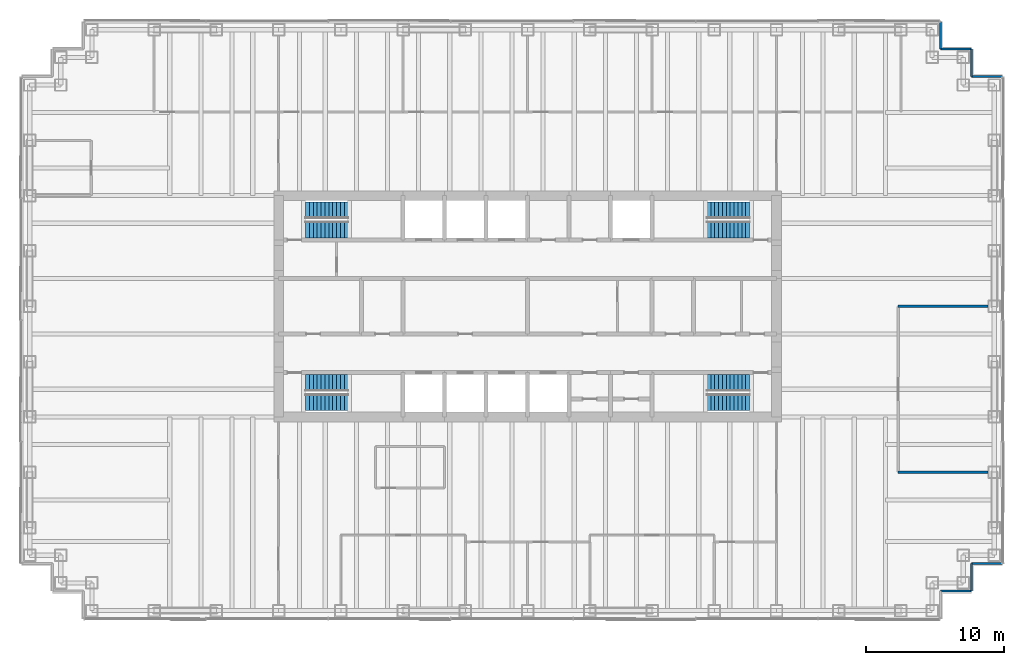
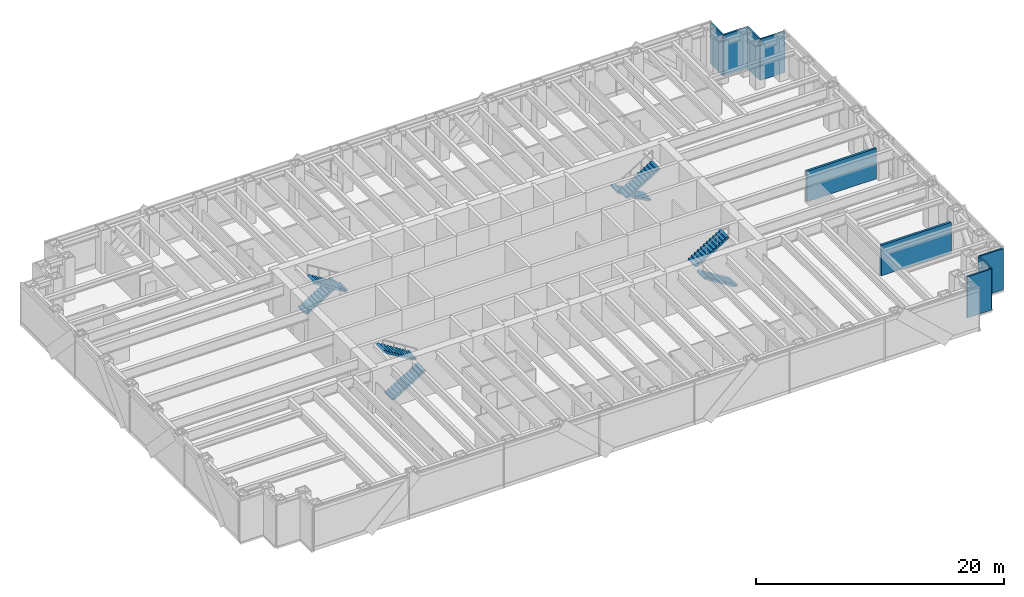
# One storey, part 14 of 15: 9 walls, 8 stair flights, 4 elements without a shape of their own.
"""IFC4 building model written with IfcOpenShell, lengths in metres."""

from ifc_helpers import new_model, si_unit, direction, frame, frame_2d, origin, place, context, subcontext, project, spatial, polyline, rectangle, outline, extrude, material, layer, layer_set, type_object, element, aggregate, save


model = new_model("IFC4")

# Units and contexts
model_context = context("Model", 3, precision=1e-05, world=origin(), true_north=direction((0.0, 1.0)))
body_context = subcontext(model_context, "Body", "Model", "MODEL_VIEW")
ifc_project = project(units=[si_unit("LENGTHUNIT", "METRE"), si_unit("AREAUNIT", "SQUARE_METRE"), si_unit("VOLUMEUNIT", "CUBIC_METRE"), si_unit("PLANEANGLEUNIT", "RADIAN"), si_unit("MASSUNIT", "GRAM", prefix="KILO")], contexts=[model_context])

# Site, building, storey
site_placement = place(None, origin())
site = spatial("IfcSite", under=ifc_project, at=site_placement, CompositionType="ELEMENT")
building_placement = place(site_placement, origin())
building = spatial("IfcBuilding", under=site, at=building_placement, Name="Rheinbord Bourse Tower", CompositionType="ELEMENT")
storey_placement = place(building_placement, frame((0.0, 0.0, 279.5)))
storey = spatial("IfcBuildingStorey", under=building, at=storey_placement, Name="L63", CompositionType="ELEMENT", Elevation=279.5)

# Walls
ifc_material_1 = material(Name="Acoustic gypsum board partition", Category="gypsum board")
ifc_layer_1 = layer(ifc_material_1, 0.199951171875)
ifc_layer_set_1 = layer_set([ifc_layer_1], Name="ACOUSTIC PARTITION 200")
wall_type_1 = type_object("IfcWallType", Name="ACOUSTIC PARTITION 200", PredefinedType="PARTITIONING", material=ifc_layer_set_1)
for number, where, z_axis, x_axis, name in (
    (1, (62.800048828125, 12.0, 0.0), (0.0, 0.0, 1.0), (1.0, 0.0, 0.0), "Partition L63-06"),
    (2, (62.800048828125, 24.0, 0.0), (0.0, 0.0, 1.0), (1.0, 0.0, 0.0), "Partition L63-08"),
):
    element("IfcWall", number, at=place(storey_placement, frame(where, z_axis=z_axis, x_axis=x_axis)), inside=storey, type_object=wall_type_1, Name=name, PredefinedType="PARTITIONING", context=body_context, shape_type="SweptSolid", body=[
        extrude(rectangle(XDim=6.5, YDim=0.199951171875, at=frame_2d((3.25, 0.0))), origin(), (0.0, 0.0, 1.0), 3.0),
    ])
ifc_material_2 = material(Name="Black metal rainscreen panel", Category="aluminium")
ifc_layer_2 = layer(ifc_material_2, 0.14990234375)
ifc_layer_set_2 = layer_set([ifc_layer_2], Name="CORNER PIER CLADDING 150")
wall_type_2 = type_object("IfcWallType", Name="CORNER PIER CLADDING 150", PredefinedType="ELEMENTEDWALL", material=ifc_layer_set_2)
wall_1_placement = place(storey_placement, frame((65.85009765625, 3.39990234375, 0.0), z_axis=(0.0, 0.0, 1.0), x_axis=(1.0, 0.0, 0.0)))
element("IfcWall", 3, at=wall_1_placement, inside=storey, type_object=wall_type_2, Name="Corner pier cladding L63 3", PredefinedType="ELEMENTEDWALL", context=body_context, shape_type="SweptSolid", body=[
    extrude(rectangle(XDim=2.25, YDim=0.14990234375, at=frame_2d((1.125, 0.0))), origin(), (0.0, 0.0, 1.0), 4.0400390625),
])
wall_2_placement = place(storey_placement, frame((68.10009765625, 3.39990234375, 0.0), z_axis=(0.0, 0.0, 1.0), x_axis=(0.0, 1.0, 0.0)))
element("IfcWall", 4, at=wall_2_placement, inside=storey, type_object=wall_type_2, Name="Corner pier cladding L63 4", PredefinedType="ELEMENTEDWALL", context=body_context, shape_type="SweptSolid", body=[
    extrude(rectangle(XDim=2.0, YDim=0.14990234375, at=frame_2d((1.0, 0.0))), origin(), (0.0, 0.0, 1.0), 4.0400390625),
])
for number, where, z_axis, x_axis, name in (
    (5, (68.10009765625, 5.39990234375, 0.0), (0.0, 0.0, 1.0), (1.0, 0.0, 0.0), "Corner pier cladding L63 5"),
    (6, (70.35009765625, 40.60009765625, 0.0), (0.0, 0.0, 1.0), (-1.0, 0.0, 0.0), "Corner pier cladding L63 7"),
):
    element("IfcWall", number, at=place(storey_placement, frame(where, z_axis=z_axis, x_axis=x_axis)), inside=storey, type_object=wall_type_2, Name=name, PredefinedType="ELEMENTEDWALL", context=body_context, shape_type="SweptSolid", body=[
        extrude(rectangle(XDim=2.25, YDim=0.14990234375, at=frame_2d((1.125, 0.0))), origin(), (0.0, 0.0, 1.0), 4.0400390625),
    ])
wall_3_placement = place(storey_placement, frame((68.10009765625, 40.60009765625, 0.0), z_axis=(0.0, 0.0, 1.0), x_axis=(0.0, 1.0, 0.0)))
element("IfcWall", 7, at=wall_3_placement, inside=storey, type_object=wall_type_2, Name="Corner pier cladding L63 8", PredefinedType="ELEMENTEDWALL", context=body_context, shape_type="SweptSolid", body=[
    extrude(rectangle(XDim=2.0, YDim=0.14990234375, at=frame_2d((1.0, 0.0))), origin(), (0.0, 0.0, 1.0), 4.0400390625),
])
wall_4_placement = place(storey_placement, frame((68.10009765625, 42.60009765625, 0.0), z_axis=(0.0, 0.0, 1.0), x_axis=(-1.0, 0.0, 0.0)))
element("IfcWall", 8, at=wall_4_placement, inside=storey, type_object=wall_type_2, Name="Corner pier cladding L63 9", PredefinedType="ELEMENTEDWALL", context=body_context, shape_type="SweptSolid", body=[
    extrude(rectangle(XDim=2.25, YDim=0.14990234375, at=frame_2d((1.125, 0.0))), origin(), (0.0, 0.0, 1.0), 4.0400390625),
])
wall_5_placement = place(storey_placement, frame((65.85009765625, 42.60009765625, 0.0), z_axis=(0.0, 0.0, 1.0), x_axis=(0.0, 1.0, 0.0)))
element("IfcWall", 9, at=wall_5_placement, inside=storey, type_object=wall_type_2, Name="Corner pier cladding L63 10", PredefinedType="ELEMENTEDWALL", context=body_context, shape_type="SweptSolid", body=[
    extrude(rectangle(XDim=2.0, YDim=0.14990234375, at=frame_2d((1.0, 0.0))), origin(), (0.0, 0.0, 1.0), 4.0400390625),
])

# Stair, stair flights
ifc_material_3 = material(Name="Concrete C30/37", Category="concrete")
stair_type = type_object("IfcStairType", Name="CORE STAIR HALF TURN 4200", PredefinedType="HALF_TURN_STAIR", material=ifc_material_3)
stair_1_placement = place(storey_placement, origin())
stair_1 = element("IfcStair", 10, at=stair_1_placement, inside=storey, type_object=stair_type, Name="Stair ST1 L63, type CS6", PredefinedType="HALF_TURN_STAIR")
ifc_material_4 = material(Name="Concrete C30/37", Category="concrete")
stair_flight_type = type_object("IfcStairFlightType", Name="CORE STAIR FLIGHT 1200, 12 RISERS", PredefinedType="STRAIGHT", material=ifc_material_4)
stair_flight_1_placement = place(storey_placement, frame((19.949951171875, 17.050048828125, 0.0), z_axis=(0.0, 0.0, 1.0), x_axis=(1.0, 0.0, 0.0)))
stair_flight_1 = element("IfcStairFlight", 11, at=stair_flight_1_placement, type_object=stair_flight_type, Name="STAIR L63 ST1 F1", NumberOfRisers=12, NumberOfTreads=11, PredefinedType="STRAIGHT", RiserHeight=0.175, TreadLength=0.28, context=body_context, shape_type="SweptSolid", body=[
    extrude(outline(polyline([(0.0, 0.0), (0.0, 0.175048828125), (0.280029296875, 0.175048828125), (0.280029296875, 0.35009765625), (0.56005859375, 0.35009765625), (0.56005859375, 0.52490234375), (0.840087890625, 0.52490234375), (0.840087890625, 0.699951171875), (1.1201171875, 0.699951171875), (1.1201171875, 0.875), (1.39990234375, 0.875), (1.39990234375, 1.050048828125), (1.679931640625, 1.050048828125), (1.679931640625, 1.22509765625), (1.9599609375, 1.22509765625), (1.9599609375, 1.39990234375), (2.239990234375, 1.39990234375), (2.239990234375, 1.574951171875), (2.52001953125, 1.574951171875), (2.52001953125, 1.75), (2.800048828125, 1.75), (2.800048828125, 1.925048828125), (3.080078125, 1.925048828125), (3.080078125, 2.10009765625), (3.080078125, 1.748291015625), (0.28271484375, 0.0), (0.0, 0.0)])), frame((0.0, 0.60009765625, 0.0), z_axis=(0.0, -1.0, 0.0), x_axis=(1.0, 0.0, 0.0)), (0.0, 0.0, 1.0), 1.199951171875),
])
stair_flight_2_placement = place(storey_placement, frame((23.030029296875, 18.449951171875, 2.10009765625), z_axis=(0.0, 0.0, 1.0), x_axis=(-1.0, 0.0, 0.0)))
stair_flight_2 = element("IfcStairFlight", 12, at=stair_flight_2_placement, type_object=stair_flight_type, Name="STAIR L63 ST1 F2", NumberOfRisers=12, NumberOfTreads=11, PredefinedType="STRAIGHT", RiserHeight=0.175, TreadLength=0.28, context=body_context, shape_type="SweptSolid", body=[
    extrude(outline(polyline([(0.0, 0.0), (0.0, 0.175048828125), (0.280029296875, 0.175048828125), (0.280029296875, 0.35009765625), (0.56005859375, 0.35009765625), (0.56005859375, 0.52490234375), (0.840087890625, 0.52490234375), (0.840087890625, 0.699951171875), (1.1201171875, 0.699951171875), (1.1201171875, 0.875), (1.39990234375, 0.875), (1.39990234375, 1.050048828125), (1.679931640625, 1.050048828125), (1.679931640625, 1.22509765625), (1.9599609375, 1.22509765625), (1.9599609375, 1.39990234375), (2.239990234375, 1.39990234375), (2.239990234375, 1.574951171875), (2.52001953125, 1.574951171875), (2.52001953125, 1.75), (2.800048828125, 1.75), (2.800048828125, 1.925048828125), (3.080078125, 1.925048828125), (3.080078125, 2.10009765625), (3.080078125, 1.748291015625), (0.28271484375, 0.0), (0.0, 0.0)])), frame((0.0, 0.60009765625, 0.0), z_axis=(0.0, -1.0, 0.0), x_axis=(1.0, 0.0, 0.0)), (0.0, 0.0, 1.0), 1.199951171875),
])
aggregate(stair_1, [stair_flight_1, stair_flight_2])

stair_2_placement = place(storey_placement, origin())
stair_2 = element("IfcStair", 13, at=stair_2_placement, inside=storey, type_object=stair_type, Name="Stair ST2 L63, type CS6", PredefinedType="HALF_TURN_STAIR")
stair_flight_3_placement = place(storey_placement, frame((19.949951171875, 30.949951171875, 0.0), z_axis=(0.0, 0.0, 1.0), x_axis=(1.0, 0.0, 0.0)))
stair_flight_3 = element("IfcStairFlight", 14, at=stair_flight_3_placement, type_object=stair_flight_type, Name="STAIR L63 ST2 F1", NumberOfRisers=12, NumberOfTreads=11, PredefinedType="STRAIGHT", RiserHeight=0.175, TreadLength=0.28, context=body_context, shape_type="SweptSolid", body=[
    extrude(outline(polyline([(0.0, 0.0), (0.0, 0.175048828125), (0.280029296875, 0.175048828125), (0.280029296875, 0.35009765625), (0.56005859375, 0.35009765625), (0.56005859375, 0.52490234375), (0.840087890625, 0.52490234375), (0.840087890625, 0.699951171875), (1.1201171875, 0.699951171875), (1.1201171875, 0.875), (1.39990234375, 0.875), (1.39990234375, 1.050048828125), (1.679931640625, 1.050048828125), (1.679931640625, 1.22509765625), (1.9599609375, 1.22509765625), (1.9599609375, 1.39990234375), (2.239990234375, 1.39990234375), (2.239990234375, 1.574951171875), (2.52001953125, 1.574951171875), (2.52001953125, 1.75), (2.800048828125, 1.75), (2.800048828125, 1.925048828125), (3.080078125, 1.925048828125), (3.080078125, 2.10009765625), (3.080078125, 1.748291015625), (0.28271484375, 0.0), (0.0, 0.0)])), frame((0.0, 0.60009765625, 0.0), z_axis=(0.0, -1.0, 0.0), x_axis=(1.0, 0.0, 0.0)), (0.0, 0.0, 1.0), 1.199951171875),
])
stair_flight_4_placement = place(storey_placement, frame((23.030029296875, 29.550048828125, 2.10009765625), z_axis=(0.0, 0.0, 1.0), x_axis=(-1.0, 0.0, 0.0)))
stair_flight_4 = element("IfcStairFlight", 15, at=stair_flight_4_placement, type_object=stair_flight_type, Name="STAIR L63 ST2 F2", NumberOfRisers=12, NumberOfTreads=11, PredefinedType="STRAIGHT", RiserHeight=0.175, TreadLength=0.28, context=body_context, shape_type="SweptSolid", body=[
    extrude(outline(polyline([(0.0, 0.0), (0.0, 0.175048828125), (0.280029296875, 0.175048828125), (0.280029296875, 0.35009765625), (0.56005859375, 0.35009765625), (0.56005859375, 0.52490234375), (0.840087890625, 0.52490234375), (0.840087890625, 0.699951171875), (1.1201171875, 0.699951171875), (1.1201171875, 0.875), (1.39990234375, 0.875), (1.39990234375, 1.050048828125), (1.679931640625, 1.050048828125), (1.679931640625, 1.22509765625), (1.9599609375, 1.22509765625), (1.9599609375, 1.39990234375), (2.239990234375, 1.39990234375), (2.239990234375, 1.574951171875), (2.52001953125, 1.574951171875), (2.52001953125, 1.75), (2.800048828125, 1.75), (2.800048828125, 1.925048828125), (3.080078125, 1.925048828125), (3.080078125, 2.10009765625), (3.080078125, 1.748291015625), (0.28271484375, 0.0), (0.0, 0.0)])), frame((0.0, 0.60009765625, 0.0), z_axis=(0.0, -1.0, 0.0), x_axis=(1.0, 0.0, 0.0)), (0.0, 0.0, 1.0), 1.199951171875),
])
aggregate(stair_2, [stair_flight_3, stair_flight_4])

stair_3_placement = place(storey_placement, origin())
stair_3 = element("IfcStair", 16, at=stair_3_placement, inside=storey, type_object=stair_type, Name="Stair ST3 L63, type CS6", PredefinedType="HALF_TURN_STAIR")
stair_flight_5_placement = place(storey_placement, frame((52.050048828125, 17.050048828125, 0.0), z_axis=(0.0, 0.0, 1.0), x_axis=(-1.0, 0.0, 0.0)))
stair_flight_5 = element("IfcStairFlight", 17, at=stair_flight_5_placement, type_object=stair_flight_type, Name="STAIR L63 ST3 F1", NumberOfRisers=12, NumberOfTreads=11, PredefinedType="STRAIGHT", RiserHeight=0.175, TreadLength=0.28, context=body_context, shape_type="SweptSolid", body=[
    extrude(outline(polyline([(0.0, 0.0), (0.0, 0.175048828125), (0.280029296875, 0.175048828125), (0.280029296875, 0.35009765625), (0.56005859375, 0.35009765625), (0.56005859375, 0.52490234375), (0.840087890625, 0.52490234375), (0.840087890625, 0.699951171875), (1.1201171875, 0.699951171875), (1.1201171875, 0.875), (1.39990234375, 0.875), (1.39990234375, 1.050048828125), (1.679931640625, 1.050048828125), (1.679931640625, 1.22509765625), (1.9599609375, 1.22509765625), (1.9599609375, 1.39990234375), (2.239990234375, 1.39990234375), (2.239990234375, 1.574951171875), (2.52001953125, 1.574951171875), (2.52001953125, 1.75), (2.800048828125, 1.75), (2.800048828125, 1.925048828125), (3.080078125, 1.925048828125), (3.080078125, 2.10009765625), (3.080078125, 1.748291015625), (0.28271484375, 0.0), (0.0, 0.0)])), frame((0.0, 0.60009765625, 0.0), z_axis=(0.0, -1.0, 0.0), x_axis=(1.0, 0.0, 0.0)), (0.0, 0.0, 1.0), 1.199951171875),
])
stair_flight_6_placement = place(storey_placement, frame((48.969970703125, 18.449951171875, 2.10009765625), z_axis=(0.0, 0.0, 1.0), x_axis=(1.0, 0.0, 0.0)))
stair_flight_6 = element("IfcStairFlight", 18, at=stair_flight_6_placement, type_object=stair_flight_type, Name="STAIR L63 ST3 F2", NumberOfRisers=12, NumberOfTreads=11, PredefinedType="STRAIGHT", RiserHeight=0.175, TreadLength=0.28, context=body_context, shape_type="SweptSolid", body=[
    extrude(outline(polyline([(0.0, 0.0), (0.0, 0.175048828125), (0.280029296875, 0.175048828125), (0.280029296875, 0.35009765625), (0.56005859375, 0.35009765625), (0.56005859375, 0.52490234375), (0.840087890625, 0.52490234375), (0.840087890625, 0.699951171875), (1.1201171875, 0.699951171875), (1.1201171875, 0.875), (1.39990234375, 0.875), (1.39990234375, 1.050048828125), (1.679931640625, 1.050048828125), (1.679931640625, 1.22509765625), (1.9599609375, 1.22509765625), (1.9599609375, 1.39990234375), (2.239990234375, 1.39990234375), (2.239990234375, 1.574951171875), (2.52001953125, 1.574951171875), (2.52001953125, 1.75), (2.800048828125, 1.75), (2.800048828125, 1.925048828125), (3.080078125, 1.925048828125), (3.080078125, 2.10009765625), (3.080078125, 1.748291015625), (0.28271484375, 0.0), (0.0, 0.0)])), frame((0.0, 0.60009765625, 0.0), z_axis=(0.0, -1.0, 0.0), x_axis=(1.0, 0.0, 0.0)), (0.0, 0.0, 1.0), 1.199951171875),
])
aggregate(stair_3, [stair_flight_5, stair_flight_6])

stair_4_placement = place(storey_placement, origin())
stair_4 = element("IfcStair", 19, at=stair_4_placement, inside=storey, type_object=stair_type, Name="Stair ST4 L63, type CS6", PredefinedType="HALF_TURN_STAIR")
stair_flight_7_placement = place(storey_placement, frame((52.050048828125, 30.949951171875, 0.0), z_axis=(0.0, 0.0, 1.0), x_axis=(-1.0, 0.0, 0.0)))
stair_flight_7 = element("IfcStairFlight", 20, at=stair_flight_7_placement, type_object=stair_flight_type, Name="STAIR L63 ST4 F1", NumberOfRisers=12, NumberOfTreads=11, PredefinedType="STRAIGHT", RiserHeight=0.175, TreadLength=0.28, context=body_context, shape_type="SweptSolid", body=[
    extrude(outline(polyline([(0.0, 0.0), (0.0, 0.175048828125), (0.280029296875, 0.175048828125), (0.280029296875, 0.35009765625), (0.56005859375, 0.35009765625), (0.56005859375, 0.52490234375), (0.840087890625, 0.52490234375), (0.840087890625, 0.699951171875), (1.1201171875, 0.699951171875), (1.1201171875, 0.875), (1.39990234375, 0.875), (1.39990234375, 1.050048828125), (1.679931640625, 1.050048828125), (1.679931640625, 1.22509765625), (1.9599609375, 1.22509765625), (1.9599609375, 1.39990234375), (2.239990234375, 1.39990234375), (2.239990234375, 1.574951171875), (2.52001953125, 1.574951171875), (2.52001953125, 1.75), (2.800048828125, 1.75), (2.800048828125, 1.925048828125), (3.080078125, 1.925048828125), (3.080078125, 2.10009765625), (3.080078125, 1.748291015625), (0.28271484375, 0.0), (0.0, 0.0)])), frame((0.0, 0.60009765625, 0.0), z_axis=(0.0, -1.0, 0.0), x_axis=(1.0, 0.0, 0.0)), (0.0, 0.0, 1.0), 1.199951171875),
])
stair_flight_8_placement = place(storey_placement, frame((48.969970703125, 29.550048828125, 2.10009765625), z_axis=(0.0, 0.0, 1.0), x_axis=(1.0, 0.0, 0.0)))
stair_flight_8 = element("IfcStairFlight", 21, at=stair_flight_8_placement, type_object=stair_flight_type, Name="STAIR L63 ST4 F2", NumberOfRisers=12, NumberOfTreads=11, PredefinedType="STRAIGHT", RiserHeight=0.175, TreadLength=0.28, context=body_context, shape_type="SweptSolid", body=[
    extrude(outline(polyline([(0.0, 0.0), (0.0, 0.175048828125), (0.280029296875, 0.175048828125), (0.280029296875, 0.35009765625), (0.56005859375, 0.35009765625), (0.56005859375, 0.52490234375), (0.840087890625, 0.52490234375), (0.840087890625, 0.699951171875), (1.1201171875, 0.699951171875), (1.1201171875, 0.875), (1.39990234375, 0.875), (1.39990234375, 1.050048828125), (1.679931640625, 1.050048828125), (1.679931640625, 1.22509765625), (1.9599609375, 1.22509765625), (1.9599609375, 1.39990234375), (2.239990234375, 1.39990234375), (2.239990234375, 1.574951171875), (2.52001953125, 1.574951171875), (2.52001953125, 1.75), (2.800048828125, 1.75), (2.800048828125, 1.925048828125), (3.080078125, 1.925048828125), (3.080078125, 2.10009765625), (3.080078125, 1.748291015625), (0.28271484375, 0.0), (0.0, 0.0)])), frame((0.0, 0.60009765625, 0.0), z_axis=(0.0, -1.0, 0.0), x_axis=(1.0, 0.0, 0.0)), (0.0, 0.0, 1.0), 1.199951171875),
])
aggregate(stair_4, [stair_flight_7, stair_flight_8])

save(model, "model.ifc")
